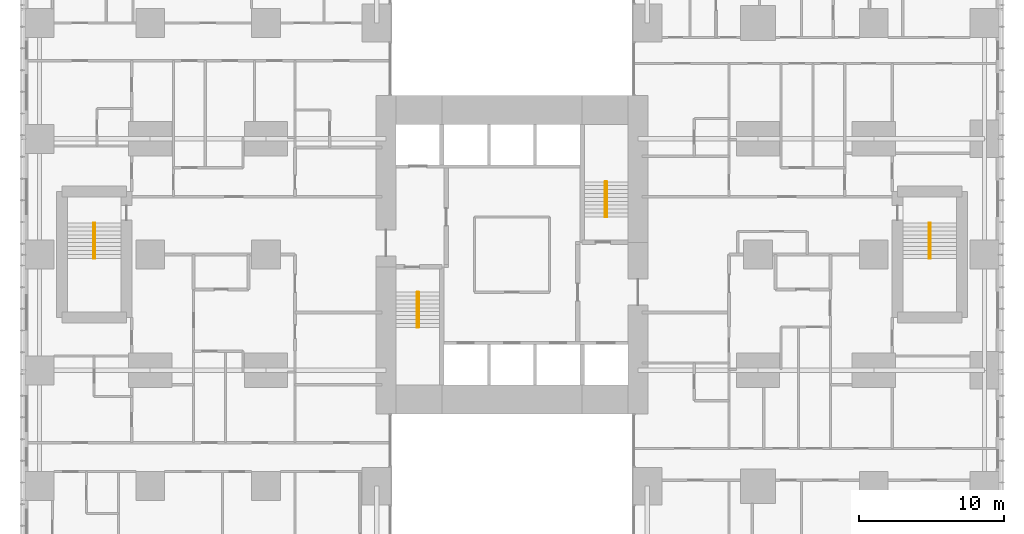
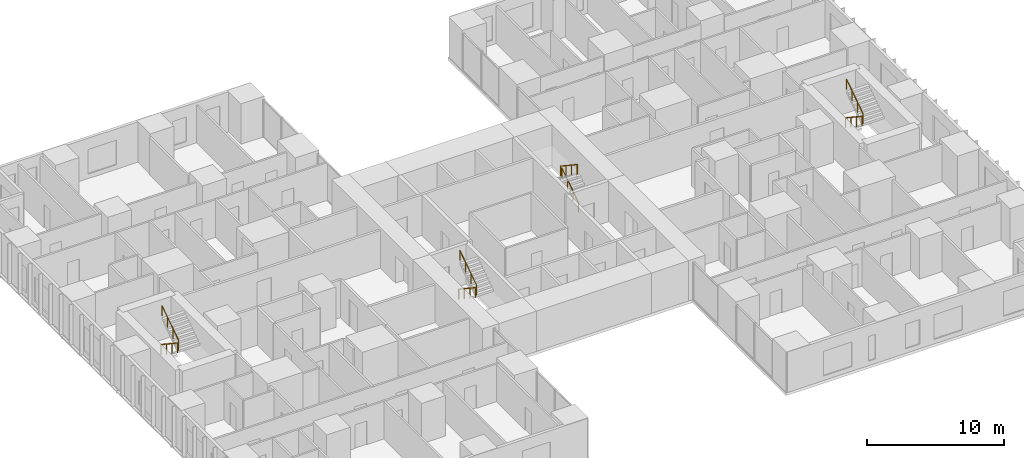
# One storey, part 20 of 20: 8 railings.
"""IFC4 building model written with IfcOpenShell, lengths in metres."""

from ifc_helpers import new_model, si_unit, direction, frame, origin, origin_2d, place, context, subcontext, project, spatial, circle, extrude, material, type_object, element, save


model = new_model("IFC4")

# Units and contexts
model_context = context("Model", 3, precision=1e-05, world=origin(), true_north=direction((0.0, 1.0)))
body_context = subcontext(model_context, "Body", "Model", "MODEL_VIEW")
ifc_project = project(units=[si_unit("LENGTHUNIT", "METRE"), si_unit("AREAUNIT", "SQUARE_METRE"), si_unit("VOLUMEUNIT", "CUBIC_METRE"), si_unit("PLANEANGLEUNIT", "RADIAN"), si_unit("MASSUNIT", "GRAM", prefix="KILO")], contexts=[model_context])

# Site, building, storey
site_placement = place(None, origin())
site = spatial("IfcSite", under=ifc_project, at=site_placement, CompositionType="ELEMENT")
building_placement = place(site_placement, origin())
building = spatial("IfcBuilding", under=site, at=building_placement, Name="Cleftline Residences", CompositionType="ELEMENT")
storey_placement = place(building_placement, frame((0.0, 0.0, 150.199951171875)))
storey = spatial("IfcBuildingStorey", under=building, at=storey_placement, Name="L39", CompositionType="ELEMENT", Elevation=150.199951171875)

# Railings
ifc_material = material(Name="Stainless steel", Category="steel")
railing_type = type_object("IfcRailingType", Name="HANDRAIL 900", PredefinedType="HANDRAIL", material=ifc_material)
railing_1_placement = place(storey_placement, frame((26.449951171875, 21.39990234375, 0.179931640625)))
element("IfcRailing", 1, at=railing_1_placement, inside=storey, type_object=railing_type, Name="Stair handrail", PredefinedType="HANDRAIL", context=body_context, shape_type="SweptSolid", body=[
    extrude(circle(Radius=0.02392578125, at=origin_2d()), frame((0.0, 0.0, 0.8759765625), z_axis=(0.0, -0.832024571796, 0.554738778101), x_axis=(1.0, 0.0, 0.0)), (0.0, 0.0, 1.0), 2.92041015625),
    extrude(circle(Radius=0.02099609375, at=origin_2d()), origin(), (0.0, 0.0, 1.0), 0.851806640625),
    extrude(circle(Radius=0.02099609375, at=origin_2d()), frame((0.0, -0.81005859375, 0.5400390625)), (0.0, 0.0, 1.0), 0.851806640625),
    extrude(circle(Radius=0.02099609375, at=origin_2d()), frame((0.0, -1.619873046875, 1.080078125)), (0.0, 0.0, 1.0), 0.851806640625),
    extrude(circle(Radius=0.02099609375, at=origin_2d()), frame((0.0, -2.429931640625, 1.6201171875)), (0.0, 0.0, 1.0), 0.851806640625),
])
for number, where, name in (
    (2, (26.550048828125, 18.969970703125, 1.97998046875), "Stair handrail"),
    (3, (39.550048828125, 26.60009765625, 0.179931640625), "Stair handrail"),
):
    element("IfcRailing", number, at=place(storey_placement, frame(where)), inside=storey, type_object=railing_type, Name=name, PredefinedType="HANDRAIL", context=body_context, shape_type="SweptSolid", body=[
        extrude(circle(Radius=0.02392578125, at=origin_2d()), frame((0.0, 0.0, 0.8759765625), z_axis=(0.0, 0.832024571796, 0.554738778101), x_axis=(-1.0, 0.0, 0.0)), (0.0, 0.0, 1.0), 2.92041015625),
        extrude(circle(Radius=0.02099609375, at=origin_2d()), origin(), (0.0, 0.0, 1.0), 0.851806640625),
        extrude(circle(Radius=0.02099609375, at=origin_2d()), frame((0.0, 0.81005859375, 0.5400390625)), (0.0, 0.0, 1.0), 0.851806640625),
        extrude(circle(Radius=0.02099609375, at=origin_2d()), frame((0.0, 1.619873046875, 1.080078125)), (0.0, 0.0, 1.0), 0.851806640625),
        extrude(circle(Radius=0.02099609375, at=origin_2d()), frame((0.0, 2.429931640625, 1.6201171875)), (0.0, 0.0, 1.0), 0.851806640625),
    ])
for number, where, name in (
    (4, (39.449951171875, 29.030029296875, 1.97998046875), "Stair handrail"),
    (5, (61.824951171875, 26.175048828125, 0.179931640625), "Stair handrail"),
):
    element("IfcRailing", number, at=place(storey_placement, frame(where)), inside=storey, type_object=railing_type, Name=name, PredefinedType="HANDRAIL", context=body_context, shape_type="SweptSolid", body=[
        extrude(circle(Radius=0.02392578125, at=origin_2d()), frame((0.0, 0.0, 0.8759765625), z_axis=(0.0, -0.832024571796, 0.554738778101), x_axis=(1.0, 0.0, 0.0)), (0.0, 0.0, 1.0), 2.92041015625),
        extrude(circle(Radius=0.02099609375, at=origin_2d()), origin(), (0.0, 0.0, 1.0), 0.851806640625),
        extrude(circle(Radius=0.02099609375, at=origin_2d()), frame((0.0, -0.81005859375, 0.5400390625)), (0.0, 0.0, 1.0), 0.851806640625),
        extrude(circle(Radius=0.02099609375, at=origin_2d()), frame((0.0, -1.619873046875, 1.080078125)), (0.0, 0.0, 1.0), 0.851806640625),
        extrude(circle(Radius=0.02099609375, at=origin_2d()), frame((0.0, -2.429931640625, 1.6201171875)), (0.0, 0.0, 1.0), 0.851806640625),
    ])
railing_2_placement = place(storey_placement, frame((61.925048828125, 23.7451171875, 1.97998046875)))
element("IfcRailing", 6, at=railing_2_placement, inside=storey, type_object=railing_type, Name="Stair handrail", PredefinedType="HANDRAIL", context=body_context, shape_type="SweptSolid", body=[
    extrude(circle(Radius=0.02392578125, at=origin_2d()), frame((0.0, 0.0, 0.8759765625), z_axis=(0.0, 0.832024571796, 0.554738778101), x_axis=(-1.0, 0.0, 0.0)), (0.0, 0.0, 1.0), 2.92041015625),
    extrude(circle(Radius=0.02099609375, at=origin_2d()), origin(), (0.0, 0.0, 1.0), 0.851806640625),
    extrude(circle(Radius=0.02099609375, at=origin_2d()), frame((0.0, 0.81005859375, 0.5400390625)), (0.0, 0.0, 1.0), 0.851806640625),
    extrude(circle(Radius=0.02099609375, at=origin_2d()), frame((0.0, 1.619873046875, 1.080078125)), (0.0, 0.0, 1.0), 0.851806640625),
    extrude(circle(Radius=0.02099609375, at=origin_2d()), frame((0.0, 2.429931640625, 1.6201171875)), (0.0, 0.0, 1.0), 0.851806640625),
])
railing_3_placement = place(storey_placement, frame((4.074951171875, 26.175048828125, 0.179931640625)))
element("IfcRailing", 7, at=railing_3_placement, inside=storey, type_object=railing_type, Name="Stair handrail", PredefinedType="HANDRAIL", context=body_context, shape_type="SweptSolid", body=[
    extrude(circle(Radius=0.02392578125, at=origin_2d()), frame((0.0, 0.0, 0.8759765625), z_axis=(0.0, -0.832024571796, 0.554738778101), x_axis=(1.0, 0.0, 0.0)), (0.0, 0.0, 1.0), 2.92041015625),
    extrude(circle(Radius=0.02099609375, at=origin_2d()), origin(), (0.0, 0.0, 1.0), 0.851806640625),
    extrude(circle(Radius=0.02099609375, at=origin_2d()), frame((0.0, -0.81005859375, 0.5400390625)), (0.0, 0.0, 1.0), 0.851806640625),
    extrude(circle(Radius=0.02099609375, at=origin_2d()), frame((0.0, -1.619873046875, 1.080078125)), (0.0, 0.0, 1.0), 0.851806640625),
    extrude(circle(Radius=0.02099609375, at=origin_2d()), frame((0.0, -2.429931640625, 1.6201171875)), (0.0, 0.0, 1.0), 0.851806640625),
])
railing_4_placement = place(storey_placement, frame((4.175048828125, 23.7451171875, 1.97998046875)))
element("IfcRailing", 8, at=railing_4_placement, inside=storey, type_object=railing_type, Name="Stair handrail", PredefinedType="HANDRAIL", context=body_context, shape_type="SweptSolid", body=[
    extrude(circle(Radius=0.02392578125, at=origin_2d()), frame((0.0, 0.0, 0.8759765625), z_axis=(0.0, 0.832024571796, 0.554738778101), x_axis=(-1.0, 0.0, 0.0)), (0.0, 0.0, 1.0), 2.92041015625),
    extrude(circle(Radius=0.02099609375, at=origin_2d()), origin(), (0.0, 0.0, 1.0), 0.851806640625),
    extrude(circle(Radius=0.02099609375, at=origin_2d()), frame((0.0, 0.81005859375, 0.5400390625)), (0.0, 0.0, 1.0), 0.851806640625),
    extrude(circle(Radius=0.02099609375, at=origin_2d()), frame((0.0, 1.619873046875, 1.080078125)), (0.0, 0.0, 1.0), 0.851806640625),
    extrude(circle(Radius=0.02099609375, at=origin_2d()), frame((0.0, 2.429931640625, 1.6201171875)), (0.0, 0.0, 1.0), 0.851806640625),
])

save(model, "model.ifc")
